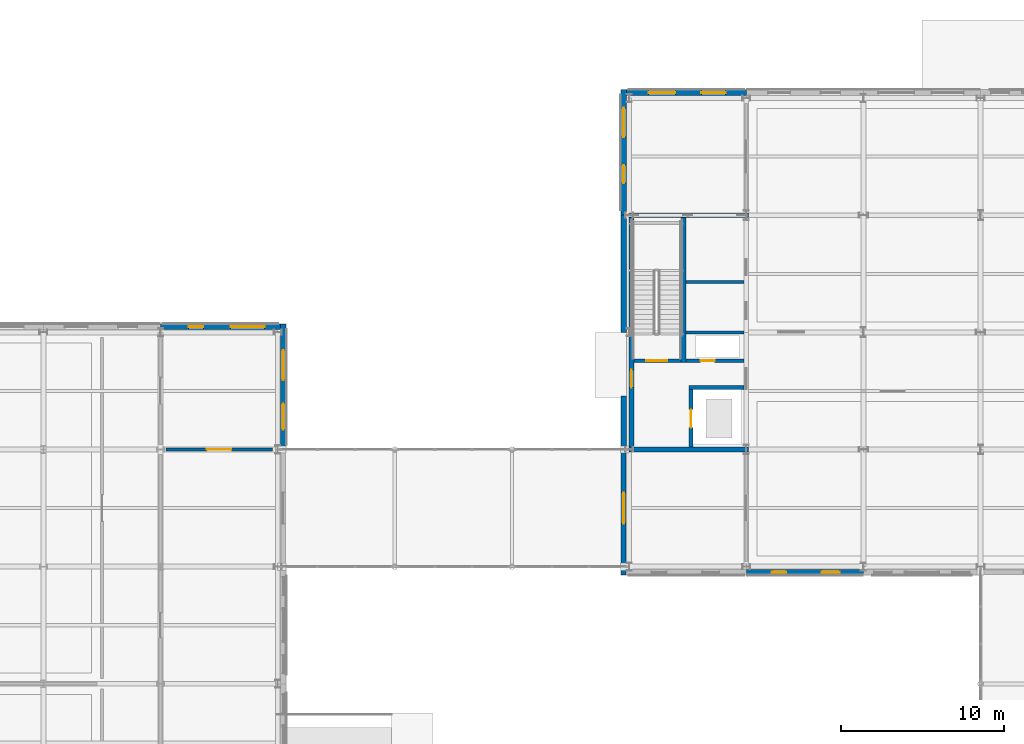
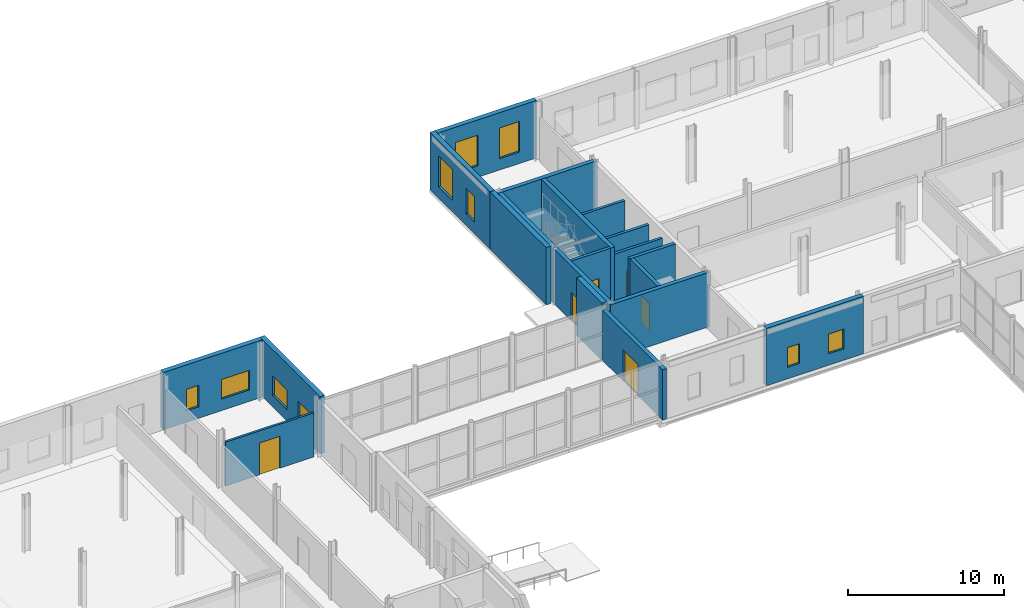
# One storey, part 62 of 92: 20 walls, 10 windows, 6 doors, 16 openings.
"""IFC4 building model written with IfcOpenShell, lengths in metres."""

from ifc_helpers import new_model, si_unit, direction, frame, frame_2d, origin, place, context, subcontext, project, spatial, rectangle, extrude, material, layer, layer_set, type_object, element, fill, save


model = new_model("IFC4")

# Units and contexts
model_context = context("Model", 3, precision=1e-05, world=origin(), true_north=direction((0.0, 1.0)))
body_context = subcontext(model_context, "Body", "Model", "MODEL_VIEW")
ifc_project = project(units=[si_unit("LENGTHUNIT", "METRE"), si_unit("AREAUNIT", "SQUARE_METRE"), si_unit("VOLUMEUNIT", "CUBIC_METRE"), si_unit("PLANEANGLEUNIT", "RADIAN"), si_unit("MASSUNIT", "GRAM", prefix="KILO")], contexts=[model_context])

# Site, building, storey
site_placement = place(None, origin())
site = spatial("IfcSite", under=ifc_project, at=site_placement, CompositionType="ELEMENT")
building_placement = place(site_placement, origin())
building = spatial("IfcBuilding", under=site, at=building_placement, Name="Zlatovets Crest Museum", CompositionType="ELEMENT")
storey_placement = place(building_placement, origin())
storey = spatial("IfcBuildingStorey", under=building, at=storey_placement, Name="L00", CompositionType="ELEMENT", Elevation=0.0)

# Walls
ifc_material_1 = material(Name="Concrete C35/45", Category="concrete")
ifc_layer_1 = layer(ifc_material_1, 0.300048828125)
ifc_layer_set_1 = layer_set([ifc_layer_1], Name="Concrete C35/45")
wall_type_1 = type_object("IfcWallType", Name="CoreWall_SW01", PredefinedType="SHEAR", material=ifc_layer_set_1)
for number, where, z_axis, x_axis, name in (
    (1, (57.60009765625, 93.60009765625, 0.0), (0.0, 0.0, 1.0), (1.0, 0.0, 0.0), "Core C1 L00 South Shear Wall"),
    (2, (57.60009765625, 108.0, 0.0), (0.0, 0.0, 1.0), (1.0, 0.0, 0.0), "Core C1 L00 North Shear Wall"),
):
    element("IfcWall", number, at=place(storey_placement, frame(where, z_axis=z_axis, x_axis=x_axis)), inside=storey, type_object=wall_type_1, Name=name, PredefinedType="SHEAR", context=body_context, shape_type="SweptSolid", body=[
        extrude(rectangle(XDim=7.349853515625, YDim=0.300048828125, at=frame_2d((3.6748046875, 0.0))), origin(), (0.0, 0.0, 1.0), 4.280029296875),
    ])

# Wall, opening, door
wall_1_placement = place(storey_placement, frame((57.75, 93.75, 0.0), z_axis=(0.0, 0.0, 1.0), x_axis=(0.0, 1.0, 0.0)))
wall_1 = element("IfcWall", 3, at=wall_1_placement, inside=storey, type_object=wall_type_1, Name="Core C1 L00 Protected Lobby Exterior Shear Wall", PredefinedType="SHEAR", context=body_context, shape_type="SweptSolid", body=[
    extrude(rectangle(XDim=7.050048828125, YDim=0.300048828125, at=frame_2d((3.52490234375, 0.0))), origin(), (0.0, 0.0, 1.0), 4.280029296875),
])
opening_1_placement = place(wall_1_placement, frame((3.64990234375, 0.0, 0.0)))
opening_1 = element("IfcOpeningElement", 4, at=opening_1_placement, cuts=wall_1, Name="Opening ED-03", PredefinedType="OPENING", context=body_context, shape_type="SweptSolid", body=[
    extrude(rectangle(XDim=1.10009765625, YDim=2.199951171875, at=frame_2d((0.550048828125, 1.10009765625))), frame((0.0, 0.16015625, 0.0), z_axis=(0.0, -1.0, 0.0), x_axis=(1.0, 0.0, 0.0)), (0.0, 0.0, 1.0), 0.320068359375),
])
ifc_material_2 = material(Name="Bronze-clad insulated steel door", Category="steel")
door_type_1 = type_object("IfcDoorType", Name="ExtDoor_ED-03", OperationType="NOTDEFINED", PredefinedType="DOOR", material=ifc_material_2)
door_1_placement = place(opening_1_placement, origin())
door_1 = element("IfcDoor", 5, at=door_1_placement, inside=storey, type_object=door_type_1, Name="ED-ST1-EXIT Stair ST1 Direct Final Exterior Exit Door", OperationType="SINGLE_SWING_LEFT", OverallHeight=2.199951171875, OverallWidth=1.10009765625, PredefinedType="DOOR", context=body_context, shape_type="SweptSolid", body=[
    extrude(rectangle(XDim=1.10009765625, YDim=2.199951171875, at=frame_2d((0.550048828125, 1.10009765625))), frame((0.0, 0.02490234375, 0.0), z_axis=(0.0, -1.0, 0.0), x_axis=(1.0, 0.0, 0.0)), (0.0, 0.0, 1.0), 0.050048828125),
])
fill(opening_1, door_1)

# Walls
wall_2_placement = place(storey_placement, frame((57.75, 100.800048828125, 0.0), z_axis=(0.0, 0.0, 1.0), x_axis=(0.0, 1.0, 0.0)))
element("IfcWall", 6, at=wall_2_placement, inside=storey, type_object=wall_type_1, Name="Core C1 L00 Stairwell Perimeter Shear Wall", PredefinedType="SHEAR", context=body_context, shape_type="SweptSolid", body=[
    extrude(rectangle(XDim=7.050048828125, YDim=0.300048828125, at=frame_2d((3.52490234375, 0.0))), origin(), (0.0, 0.0, 1.0), 4.280029296875),
])
wall_3_placement = place(storey_placement, frame((60.949951171875, 98.93994140625, 0.0), z_axis=(0.0, 0.0, 1.0), x_axis=(0.0, 1.0, 0.0)))
element("IfcWall", 7, at=wall_3_placement, inside=storey, type_object=wall_type_1, Name="Core C1 L00 Stair Divider Wall", PredefinedType="SHEAR", context=body_context, shape_type="SweptSolid", body=[
    extrude(rectangle(XDim=8.91015625, YDim=0.300048828125, at=frame_2d((4.455078125, 0.0))), origin(), (0.0, 0.0, 1.0), 4.280029296875),
])

# Wall, opening, door
ifc_layer_2 = layer(ifc_material_1, 0.25)
ifc_layer_set_2 = layer_set([ifc_layer_2], Name="Concrete C35/45")
wall_type_2 = type_object("IfcWallType", Name="CoreWall_SW02", PredefinedType="SHEAR", material=ifc_layer_set_2)
wall_4_placement = place(storey_placement, frame((61.39990234375, 93.75, 0.0), z_axis=(0.0, 0.0, 1.0), x_axis=(0.0, 1.0, 0.0)))
wall_4 = element("IfcWall", 8, at=wall_4_placement, inside=storey, type_object=wall_type_2, Name="Core C1 L00 Lift Shaft Wall", PredefinedType="SHEAR", context=body_context, shape_type="SweptSolid", body=[
    extrude(rectangle(XDim=3.52490234375, YDim=0.25, at=frame_2d((1.762451171875, 0.0))), origin(), (0.0, 0.0, 1.0), 4.280029296875),
])
opening_2_placement = place(wall_4_placement, frame((1.199951171875, 0.0, 0.0)))
opening_2 = element("IfcOpeningElement", 9, at=opening_2_placement, cuts=wall_4, Name="Opening LD-01", PredefinedType="OPENING", context=body_context, shape_type="SweptSolid", body=[
    extrude(rectangle(XDim=1.10009765625, YDim=2.14990234375, at=frame_2d((0.550048828125, 1.074951171875))), frame((0.0, 0.135009765625, 0.0), z_axis=(0.0, -1.0, 0.0), x_axis=(1.0, 0.0, 0.0)), (0.0, 0.0, 1.0), 0.27001953125),
])
ifc_material_3 = material(Name="Stainless-bronze sliding lift landing door")
door_type_2 = type_object("IfcDoorType", Name="IntDoor_LD-01", OperationType="SLIDING_TO_LEFT", PredefinedType="DOOR", material=ifc_material_3)
door_2_placement = place(opening_2_placement, origin())
door_2 = element("IfcDoor", 10, at=door_2_placement, inside=storey, type_object=door_type_2, Name="LDOOR-FL1-L00 Lift FL1 L00 Sliding Landing Door", OperationType="SLIDING_TO_LEFT", OverallHeight=2.14990234375, OverallWidth=1.10009765625, PredefinedType="DOOR", context=body_context, shape_type="SweptSolid", body=[
    extrude(rectangle(XDim=1.10009765625, YDim=2.14990234375, at=frame_2d((0.550048828125, 1.074951171875))), frame((0.0, 0.02490234375, 0.0), z_axis=(0.0, -1.0, 0.0), x_axis=(1.0, 0.0, 0.0)), (0.0, 0.0, 1.0), 0.050048828125),
])
fill(opening_2, door_2)

wall_5_placement = place(storey_placement, frame((57.89990234375, 99.050048828125, 0.0), z_axis=(0.0, 0.0, 1.0), x_axis=(1.0, 0.0, 0.0)))
wall_5 = element("IfcWall", 11, at=wall_5_placement, inside=storey, type_object=wall_type_2, Name="Core C1 L00 Stairwell Fire Wall", PredefinedType="SHEAR", context=body_context, shape_type="SweptSolid", body=[
    extrude(rectangle(XDim=2.900146484375, YDim=0.219970703125, at=frame_2d((1.4501953125, 0.0))), origin(), (0.0, 0.0, 1.0), 4.280029296875),
])
opening_3_placement = place(wall_5_placement, frame((0.75, 0.0, 0.0)))
opening_3 = element("IfcOpeningElement", 12, at=opening_3_placement, cuts=wall_5, Name="Opening FD-01", PredefinedType="OPENING", context=body_context, shape_type="SweptSolid", body=[
    extrude(rectangle(XDim=1.300048828125, YDim=2.199951171875, at=frame_2d((0.64990234375, 1.10009765625))), frame((0.0, 0.1201171875, 0.0), z_axis=(0.0, -1.0, 0.0), x_axis=(1.0, 0.0, 0.0)), (0.0, 0.0, 1.0), 0.239990234375),
])
ifc_material_4 = material(Name="Smoke-sealed steel fire door", Category="steel")
door_type_3 = type_object("IfcDoorType", Name="IntDoor_FD-01", OperationType="NOTDEFINED", PredefinedType="DOOR", material=ifc_material_4)
door_3_placement = place(opening_3_placement, origin())
door_3 = element("IfcDoor", 13, at=door_3_placement, inside=storey, type_object=door_type_3, Name="SDOOR-ST1-L00 Stair ST1 L00 Fire Door", OperationType="SINGLE_SWING_LEFT", OverallHeight=2.199951171875, OverallWidth=1.300048828125, PredefinedType="DOOR", context=body_context, shape_type="SweptSolid", body=[
    extrude(rectangle(XDim=1.300048828125, YDim=2.199951171875, at=frame_2d((0.64990234375, 1.10009765625))), frame((0.0, 0.02490234375, 0.0), z_axis=(0.0, -1.0, 0.0), x_axis=(1.0, 0.0, 0.0)), (0.0, 0.0, 1.0), 0.050048828125),
])
fill(opening_3, door_3)

# Wall
wall_6_placement = place(storey_placement, frame((61.27490234375, 97.39990234375, 0.0), z_axis=(0.0, 0.0, 1.0), x_axis=(1.0, 0.0, 0.0)))
element("IfcWall", 14, at=wall_6_placement, inside=storey, type_object=wall_type_2, Name="Core C1 L00 Lift Shaft North Shear Wall", PredefinedType="SHEAR", context=body_context, shape_type="SweptSolid", body=[
    extrude(rectangle(XDim=3.375, YDim=0.25, at=frame_2d((1.6875, 0.0))), origin(), (0.0, 0.0, 1.0), 4.280029296875),
])

# Wall, openings, windows
ifc_material_5 = material(Name="Vratsa limestone ashlar masonry and mineral wool", Category="masonry")
ifc_layer_3 = layer(ifc_material_5, 0.35009765625)
ifc_layer_set_3 = layer_set([ifc_layer_3], Name="Vratsa limestone ashlar masonry and mineral wool")
wall_type_3 = type_object("IfcWallType", Name="ExtWall_EW-01", PredefinedType="STANDARD", material=ifc_layer_set_3)
wall_7_placement = place(storey_placement, frame((64.800048828125, 86.06005859375, 0.0), z_axis=(0.0, 0.0, 1.0), x_axis=(1.0, 0.0, 0.0)))
wall_7 = element("IfcWall", 15, at=wall_7_placement, inside=storey, type_object=wall_type_3, Name="V1 L00 Vratsa Limestone Plinth Wall", PredefinedType="STANDARD", context=body_context, shape_type="SweptSolid", body=[
    extrude(rectangle(XDim=7.199951171875, YDim=0.35009765625, at=frame_2d((3.60009765625, 0.0))), origin(), (0.0, 0.0, 1.0), 4.5),
])
opening_4_placement = place(wall_7_placement, frame((1.575927734375, 0.0, 0.89990234375)))
opening_4 = element("IfcOpeningElement", 16, at=opening_4_placement, cuts=wall_7, Name="Opening WN-16", PredefinedType="OPENING", context=body_context, shape_type="SweptSolid", body=[
    extrude(rectangle(XDim=0.8798828125, YDim=1.5400390625, at=frame_2d((0.43994140625, 0.77001953125))), frame((0.0, 0.18505859375, 0.0), z_axis=(0.0, -1.0, 0.0), x_axis=(1.0, 0.0, 0.0)), (0.0, 0.0, 1.0), 0.3701171875),
])
opening_5_placement = place(wall_7_placement, frame((4.6240234375, 0.0, 0.89990234375)))
opening_5 = element("IfcOpeningElement", 17, at=opening_5_placement, cuts=wall_7, Name="Opening WN-17", PredefinedType="OPENING", context=body_context, shape_type="SweptSolid", body=[
    extrude(rectangle(XDim=1.1201171875, YDim=1.5400390625, at=frame_2d((0.56005859375, 0.77001953125))), frame((0.0, 0.18505859375, 0.0), z_axis=(0.0, -1.0, 0.0), x_axis=(1.0, 0.0, 0.0)), (0.0, 0.0, 1.0), 0.3701171875),
])
ifc_material_6 = material(Name="Bronze-anodised aluminium frame with low-E triple glass", Category="aluminium")
window_type_1 = type_object("IfcWindowType", Name="Win_WN-16", PartitioningType="SINGLE_PANEL", PredefinedType="WINDOW", material=ifc_material_6)
window_1_placement = place(opening_4_placement, origin())
window_1 = element("IfcWindow", 18, at=window_1_placement, inside=storey, type_object=window_type_1, Name="V1 L00 Secession Plinth Window WN-16", OverallHeight=1.5400390625, OverallWidth=0.8798828125, PartitioningType="SINGLE_PANEL", PredefinedType="WINDOW", context=body_context, shape_type="SweptSolid", body=[
    extrude(rectangle(XDim=0.8798828125, YDim=1.5400390625, at=frame_2d((0.43994140625, 0.77001953125))), frame((0.0, 0.030029296875, 0.0), z_axis=(0.0, -1.0, 0.0), x_axis=(1.0, 0.0, 0.0)), (0.0, 0.0, 1.0), 0.06005859375),
])
fill(opening_4, window_1)
window_type_2 = type_object("IfcWindowType", Name="Win_WN-17", PartitioningType="SINGLE_PANEL", PredefinedType="WINDOW", material=ifc_material_6)
window_2_placement = place(opening_5_placement, origin())
window_2 = element("IfcWindow", 19, at=window_2_placement, inside=storey, type_object=window_type_2, Name="V1 L00 Secession Plinth Window WN-17", OverallHeight=1.5400390625, OverallWidth=1.1201171875, PartitioningType="SINGLE_PANEL", PredefinedType="WINDOW", context=body_context, shape_type="SweptSolid", body=[
    extrude(rectangle(XDim=1.1201171875, YDim=1.5400390625, at=frame_2d((0.56005859375, 0.77001953125))), frame((0.0, 0.030029296875, 0.0), z_axis=(0.0, -1.0, 0.0), x_axis=(1.0, 0.0, 0.0)), (0.0, 0.0, 1.0), 0.06005859375),
])
fill(opening_5, window_2)

wall_8_placement = place(storey_placement, frame((64.800048828125, 115.5400390625, 0.0), z_axis=(0.0, 0.0, 1.0), x_axis=(-1.0, 0.0, 0.0)))
wall_8 = element("IfcWall", 20, at=wall_8_placement, inside=storey, type_object=wall_type_3, Name="V1 L00 Vratsa Limestone Plinth Wall", PredefinedType="STANDARD", context=body_context, shape_type="SweptSolid", body=[
    extrude(rectangle(XDim=7.364990234375, YDim=0.35009765625, at=frame_2d((3.6826171875, 0.0))), origin(), (0.0, 0.0, 1.0), 4.5),
])
opening_6_placement = place(wall_8_placement, frame((1.26611328125, 0.0, 0.89990234375)))
opening_6 = element("IfcOpeningElement", 21, at=opening_6_placement, cuts=wall_8, Name="Opening WN-03", PredefinedType="OPENING", context=body_context, shape_type="SweptSolid", body=[
    extrude(rectangle(XDim=1.5, YDim=2.39990234375, at=frame_2d((0.75, 1.199951171875))), frame((0.0, 0.18505859375, 0.0), z_axis=(0.0, -1.0, 0.0), x_axis=(1.0, 0.0, 0.0)), (0.0, 0.0, 1.0), 0.3701171875),
])
opening_7_placement = place(wall_8_placement, frame((4.35888671875, 0.0, 0.89990234375)))
opening_7 = element("IfcOpeningElement", 22, at=opening_7_placement, cuts=wall_8, Name="Opening WN-04", PredefinedType="OPENING", context=body_context, shape_type="SweptSolid", body=[
    extrude(rectangle(XDim=1.64990234375, YDim=2.39990234375, at=frame_2d((0.824951171875, 1.199951171875))), frame((0.0, 0.18505859375, 0.0), z_axis=(0.0, -1.0, 0.0), x_axis=(1.0, 0.0, 0.0)), (0.0, 0.0, 1.0), 0.3701171875),
])
window_type_3 = type_object("IfcWindowType", Name="Win_WN-03", PartitioningType="SINGLE_PANEL", PredefinedType="WINDOW", material=ifc_material_6)
window_3_placement = place(opening_6_placement, origin())
window_3 = element("IfcWindow", 23, at=window_3_placement, inside=storey, type_object=window_type_3, Name="V1 L00 Secession Plinth Window WN-03", OverallHeight=2.39990234375, OverallWidth=1.5, PartitioningType="SINGLE_PANEL", PredefinedType="WINDOW", context=body_context, shape_type="SweptSolid", body=[
    extrude(rectangle(XDim=1.5, YDim=2.39990234375, at=frame_2d((0.75, 1.199951171875))), frame((0.0, 0.030029296875, 0.0), z_axis=(0.0, -1.0, 0.0), x_axis=(1.0, 0.0, 0.0)), (0.0, 0.0, 1.0), 0.06005859375),
])
fill(opening_6, window_3)
window_type_4 = type_object("IfcWindowType", Name="Win_WN-04", PartitioningType="SINGLE_PANEL", PredefinedType="WINDOW", material=ifc_material_6)
window_4_placement = place(opening_7_placement, origin())
window_4 = element("IfcWindow", 24, at=window_4_placement, inside=storey, type_object=window_type_4, Name="V1 L00 Secession Plinth Window WN-04", OverallHeight=2.39990234375, OverallWidth=1.64990234375, PartitioningType="SINGLE_PANEL", PredefinedType="WINDOW", context=body_context, shape_type="SweptSolid", body=[
    extrude(rectangle(XDim=1.64990234375, YDim=2.39990234375, at=frame_2d((0.824951171875, 1.199951171875))), frame((0.0, 0.030029296875, 0.0), z_axis=(0.0, -1.0, 0.0), x_axis=(1.0, 0.0, 0.0)), (0.0, 0.0, 1.0), 0.06005859375),
])
fill(opening_7, window_4)

wall_9_placement = place(storey_placement, frame((57.260009765625, 115.715087890625, 0.0), z_axis=(0.0, 0.0, 1.0), x_axis=(0.0, -1.0, 0.0)))
wall_9 = element("IfcWall", 25, at=wall_9_placement, inside=storey, type_object=wall_type_3, Name="V1 L00 Vratsa Limestone Plinth Wall", PredefinedType="STANDARD", context=body_context, shape_type="SweptSolid", body=[
    extrude(rectangle(XDim=7.715087890625, YDim=0.35009765625, at=frame_2d((3.857421875, 0.0))), origin(), (0.0, 0.0, 1.0), 4.5),
])
opening_8_placement = place(wall_9_placement, frame((1.115966796875, 0.0, 0.89990234375)))
opening_8 = element("IfcOpeningElement", 26, at=opening_8_placement, cuts=wall_9, Name="Opening WN-05", PredefinedType="OPENING", context=body_context, shape_type="SweptSolid", body=[
    extrude(rectangle(XDim=1.800048828125, YDim=2.39990234375, at=frame_2d((0.89990234375, 1.199951171875))), frame((0.0, 0.18505859375, 0.0), z_axis=(0.0, -1.0, 0.0), x_axis=(1.0, 0.0, 0.0)), (0.0, 0.0, 1.0), 0.3701171875),
])
opening_9_placement = place(wall_9_placement, frame((4.634033203125, 0.0, 0.89990234375)))
opening_9 = element("IfcOpeningElement", 27, at=opening_9_placement, cuts=wall_9, Name="Opening WN-06", PredefinedType="OPENING", context=body_context, shape_type="SweptSolid", body=[
    extrude(rectangle(XDim=1.10009765625, YDim=2.0, at=frame_2d((0.550048828125, 1.0))), frame((0.0, 0.18505859375, 0.0), z_axis=(0.0, -1.0, 0.0), x_axis=(1.0, 0.0, 0.0)), (0.0, 0.0, 1.0), 0.3701171875),
])
window_type_5 = type_object("IfcWindowType", Name="Win_WN-05", PartitioningType="SINGLE_PANEL", PredefinedType="WINDOW", material=ifc_material_6)
window_5_placement = place(opening_8_placement, origin())
window_5 = element("IfcWindow", 28, at=window_5_placement, inside=storey, type_object=window_type_5, Name="V1 L00 Secession Plinth Window WN-05", OverallHeight=2.39990234375, OverallWidth=1.800048828125, PartitioningType="SINGLE_PANEL", PredefinedType="WINDOW", context=body_context, shape_type="SweptSolid", body=[
    extrude(rectangle(XDim=1.800048828125, YDim=2.39990234375, at=frame_2d((0.89990234375, 1.199951171875))), frame((0.0, 0.030029296875, 0.0), z_axis=(0.0, -1.0, 0.0), x_axis=(1.0, 0.0, 0.0)), (0.0, 0.0, 1.0), 0.06005859375),
])
fill(opening_8, window_5)
window_type_6 = type_object("IfcWindowType", Name="Win_WN-06", PartitioningType="SINGLE_PANEL", PredefinedType="WINDOW", material=ifc_material_6)
window_6_placement = place(opening_9_placement, origin())
window_6 = element("IfcWindow", 29, at=window_6_placement, inside=storey, type_object=window_type_6, Name="V1 L00 Secession Plinth Window WN-06", OverallHeight=2.0, OverallWidth=1.10009765625, PartitioningType="SINGLE_PANEL", PredefinedType="WINDOW", context=body_context, shape_type="SweptSolid", body=[
    extrude(rectangle(XDim=1.10009765625, YDim=2.0, at=frame_2d((0.550048828125, 1.0))), frame((0.0, 0.030029296875, 0.0), z_axis=(0.0, -1.0, 0.0), x_axis=(1.0, 0.0, 0.0)), (0.0, 0.0, 1.0), 0.06005859375),
])
fill(opening_9, window_6)

# Walls
wall_10_placement = place(storey_placement, frame((57.260009765625, 108.0, 0.0), z_axis=(0.0, 0.0, 1.0), x_axis=(0.0, -1.0, 0.0)))
element("IfcWall", 30, at=wall_10_placement, inside=storey, type_object=wall_type_3, Name="V1 L00 Vratsa Limestone Core Plinth", PredefinedType="STANDARD", context=body_context, shape_type="SweptSolid", body=[
    extrude(rectangle(XDim=7.199951171875, YDim=0.35009765625, at=frame_2d((3.60009765625, 0.0))), origin(), (0.0, 0.0, 1.0), 4.5),
])
wall_11_placement = place(storey_placement, frame((57.260009765625, 96.89990234375, 0.0), z_axis=(0.0, 0.0, 1.0), x_axis=(0.0, -1.0, 0.0)))
element("IfcWall", 31, at=wall_11_placement, inside=storey, type_object=wall_type_3, Name="V1 L00 Vratsa Limestone Core Plinth", PredefinedType="STANDARD", context=body_context, shape_type="SweptSolid", body=[
    extrude(rectangle(XDim=3.2998046875, YDim=0.35009765625, at=frame_2d((1.64990234375, 0.0))), origin(), (0.0, 0.0, 1.0), 4.5),
])

# Wall, openings, windows
wall_12_placement = place(storey_placement, frame((36.340087890625, 93.60009765625, 0.0), z_axis=(0.0, 0.0, 1.0), x_axis=(0.0, 1.0, 0.0)))
wall_12 = element("IfcWall", 32, at=wall_12_placement, inside=storey, type_object=wall_type_3, Name="V4 L00 Vratsa Limestone Plinth Wall", PredefinedType="STANDARD", context=body_context, shape_type="SweptSolid", body=[
    extrude(rectangle(XDim=7.71484375, YDim=0.35009765625, at=frame_2d((3.857421875, 0.0))), origin(), (0.0, 0.0, 1.0), 4.5),
])
opening_10_placement = place(wall_12_placement, frame((1.216064453125, 0.0, 0.89990234375)))
opening_10 = element("IfcOpeningElement", 33, at=opening_10_placement, cuts=wall_12, Name="Opening WN-19", PredefinedType="OPENING", context=body_context, shape_type="SweptSolid", body=[
    extrude(rectangle(XDim=1.60009765625, YDim=1.5400390625, at=frame_2d((0.800048828125, 0.77001953125))), frame((0.0, 0.18505859375, 0.0), z_axis=(0.0, -1.0, 0.0), x_axis=(1.0, 0.0, 0.0)), (0.0, 0.0, 1.0), 0.3701171875),
])
opening_11_placement = place(wall_12_placement, frame((4.263916015625, 0.0, 0.89990234375)))
opening_11 = element("IfcOpeningElement", 34, at=opening_11_placement, cuts=wall_12, Name="Opening WN-20", PredefinedType="OPENING", context=body_context, shape_type="SweptSolid", body=[
    extrude(rectangle(XDim=1.840087890625, YDim=1.5400390625, at=frame_2d((0.919921875, 0.77001953125))), frame((0.0, 0.18505859375, 0.0), z_axis=(0.0, -1.0, 0.0), x_axis=(1.0, 0.0, 0.0)), (0.0, 0.0, 1.0), 0.3701171875),
])
window_type_7 = type_object("IfcWindowType", Name="Win_WN-19", PartitioningType="SINGLE_PANEL", PredefinedType="WINDOW", material=ifc_material_6)
window_7_placement = place(opening_10_placement, origin())
window_7 = element("IfcWindow", 35, at=window_7_placement, inside=storey, type_object=window_type_7, Name="V4 L00 Secession Plinth Window WN-19", OverallHeight=1.5400390625, OverallWidth=1.60009765625, PartitioningType="SINGLE_PANEL", PredefinedType="WINDOW", context=body_context, shape_type="SweptSolid", body=[
    extrude(rectangle(XDim=1.60009765625, YDim=1.5400390625, at=frame_2d((0.800048828125, 0.77001953125))), frame((0.0, 0.030029296875, 0.0), z_axis=(0.0, -1.0, 0.0), x_axis=(1.0, 0.0, 0.0)), (0.0, 0.0, 1.0), 0.06005859375),
])
fill(opening_10, window_7)
window_type_8 = type_object("IfcWindowType", Name="Win_WN-20", PartitioningType="SINGLE_PANEL", PredefinedType="WINDOW", material=ifc_material_6)
window_8_placement = place(opening_11_placement, origin())
window_8 = element("IfcWindow", 36, at=window_8_placement, inside=storey, type_object=window_type_8, Name="V4 L00 Secession Plinth Window WN-20", OverallHeight=1.5400390625, OverallWidth=1.840087890625, PartitioningType="SINGLE_PANEL", PredefinedType="WINDOW", context=body_context, shape_type="SweptSolid", body=[
    extrude(rectangle(XDim=1.840087890625, YDim=1.5400390625, at=frame_2d((0.919921875, 0.77001953125))), frame((0.0, 0.030029296875, 0.0), z_axis=(0.0, -1.0, 0.0), x_axis=(1.0, 0.0, 0.0)), (0.0, 0.0, 1.0), 0.06005859375),
])
fill(opening_11, window_8)

wall_13_placement = place(storey_placement, frame((36.1650390625, 101.139892578125, 0.0), z_axis=(0.0, 0.0, 1.0), x_axis=(-1.0, 0.0, 0.0)))
wall_13 = element("IfcWall", 37, at=wall_13_placement, inside=storey, type_object=wall_type_3, Name="V4 L00 Vratsa Limestone Plinth Wall", PredefinedType="STANDARD", context=body_context, shape_type="SweptSolid", body=[
    extrude(rectangle(XDim=7.364990234375, YDim=0.35009765625, at=frame_2d((3.6826171875, 0.0))), origin(), (0.0, 0.0, 1.0), 4.5),
])
opening_12_placement = place(wall_13_placement, frame((0.97607421875, 0.0, 0.89990234375)))
opening_12 = element("IfcOpeningElement", 38, at=opening_12_placement, cuts=wall_13, Name="Opening WN-21", PredefinedType="OPENING", context=body_context, shape_type="SweptSolid", body=[
    extrude(rectangle(XDim=2.080078125, YDim=1.5400390625, at=frame_2d((1.0400390625, 0.77001953125))), frame((0.0, 0.18505859375, 0.0), z_axis=(0.0, -1.0, 0.0), x_axis=(1.0, 0.0, 0.0)), (0.0, 0.0, 1.0), 0.3701171875),
])
opening_13_placement = place(wall_13_placement, frame((4.72900390625, 0.0, 0.89990234375)))
opening_13 = element("IfcOpeningElement", 39, at=opening_13_placement, cuts=wall_13, Name="Opening WN-22", PredefinedType="OPENING", context=body_context, shape_type="SweptSolid", body=[
    extrude(rectangle(XDim=0.909912109375, YDim=1.679931640625, at=frame_2d((0.455078125, 0.83984375))), frame((0.0, 0.18505859375, 0.0), z_axis=(0.0, -1.0, 0.0), x_axis=(1.0, 0.0, 0.0)), (0.0, 0.0, 1.0), 0.3701171875),
])
window_type_9 = type_object("IfcWindowType", Name="Win_WN-21", PartitioningType="SINGLE_PANEL", PredefinedType="WINDOW", material=ifc_material_6)
window_9_placement = place(opening_12_placement, origin())
window_9 = element("IfcWindow", 40, at=window_9_placement, inside=storey, type_object=window_type_9, Name="V4 L00 Secession Plinth Window WN-21", OverallHeight=1.5400390625, OverallWidth=2.080078125, PartitioningType="SINGLE_PANEL", PredefinedType="WINDOW", context=body_context, shape_type="SweptSolid", body=[
    extrude(rectangle(XDim=2.080078125, YDim=1.5400390625, at=frame_2d((1.0400390625, 0.77001953125))), frame((0.0, 0.030029296875, 0.0), z_axis=(0.0, -1.0, 0.0), x_axis=(1.0, 0.0, 0.0)), (0.0, 0.0, 1.0), 0.06005859375),
])
fill(opening_12, window_9)
window_type_10 = type_object("IfcWindowType", Name="Win_WN-22", PartitioningType="SINGLE_PANEL", PredefinedType="WINDOW", material=ifc_material_6)
window_10_placement = place(opening_13_placement, origin())
window_10 = element("IfcWindow", 41, at=window_10_placement, inside=storey, type_object=window_type_10, Name="V4 L00 Secession Plinth Window WN-22", OverallHeight=1.679931640625, OverallWidth=0.909912109375, PartitioningType="SINGLE_PANEL", PredefinedType="WINDOW", context=body_context, shape_type="SweptSolid", body=[
    extrude(rectangle(XDim=0.909912109375, YDim=1.679931640625, at=frame_2d((0.455078125, 0.83984375))), frame((0.0, 0.030029296875, 0.0), z_axis=(0.0, -1.0, 0.0), x_axis=(1.0, 0.0, 0.0)), (0.0, 0.0, 1.0), 0.06005859375),
])
fill(opening_13, window_10)

# Wall, opening, door
ifc_material_7 = material(Name="Insulated gallery conservation liner wall", Category="concrete")
ifc_layer_4 = layer(ifc_material_7, 0.300048828125)
ifc_layer_set_4 = layer_set([ifc_layer_4], Name="Insulated gallery conservation liner wall")
wall_type_4 = type_object("IfcWallType", Name="ExtWall_EW-02", PredefinedType="STANDARD", material=ifc_layer_set_4)
wall_14_placement = place(storey_placement, frame((57.260009765625, 93.60009765625, 0.0), z_axis=(0.0, 0.0, 1.0), x_axis=(0.0, -1.0, 0.0)))
wall_14 = element("IfcWall", 42, at=wall_14_placement, inside=storey, type_object=wall_type_4, Name="V1 L00 Bridge Portal Wall", PredefinedType="STANDARD", context=body_context, shape_type="SweptSolid", body=[
    extrude(rectangle(XDim=7.715087890625, YDim=0.300048828125, at=frame_2d((3.857421875, 0.0))), origin(), (0.0, 0.0, 1.0), 3.949951171875),
])
opening_14_placement = place(wall_14_placement, frame((2.64990234375, 0.0, 0.0)))
opening_14 = element("IfcOpeningElement", 43, at=opening_14_placement, cuts=wall_14, Name="Opening ED-02", PredefinedType="OPENING", context=body_context, shape_type="SweptSolid", body=[
    extrude(rectangle(XDim=1.89990234375, YDim=2.449951171875, at=frame_2d((0.949951171875, 1.22509765625))), frame((0.0, 0.16015625, 0.0), z_axis=(0.0, -1.0, 0.0), x_axis=(1.0, 0.0, 0.0)), (0.0, 0.0, 1.0), 0.320068359375),
])
door_type_4 = type_object("IfcDoorType", Name="ExtDoor_ED-02", OperationType="NOTDEFINED", PredefinedType="DOOR", material=ifc_material_2)
door_4_placement = place(opening_14_placement, origin())
door_4 = element("IfcDoor", 44, at=door_4_placement, inside=storey, type_object=door_type_4, Name="ED-V1-L00-BR005 V1 L00 Bridge Link Portal Door", OperationType="DOUBLE_DOOR_SINGLE_SWING", OverallHeight=2.449951171875, OverallWidth=1.89990234375, PredefinedType="DOOR", context=body_context, shape_type="SweptSolid", body=[
    extrude(rectangle(XDim=1.89990234375, YDim=2.449951171875, at=frame_2d((0.949951171875, 1.22509765625))), frame((0.0, 0.02490234375, 0.0), z_axis=(0.0, -1.0, 0.0), x_axis=(1.0, 0.0, 0.0)), (0.0, 0.0, 1.0), 0.050048828125),
])
fill(opening_14, door_4)

ifc_material_8 = material(Name="Acoustic museum gallery stud partition")
ifc_layer_5 = layer(ifc_material_8, 0.159912109375)
ifc_layer_set_5 = layer_set([ifc_layer_5], Name="Acoustic museum gallery stud partition")
wall_type_5 = type_object("IfcWallType", Name="PartWall_PT-02", PredefinedType="PARTITIONING", material=ifc_layer_set_5)
wall_15_placement = place(storey_placement, frame((29.1201171875, 93.60009765625, 0.0), z_axis=(0.0, 0.0, 1.0), x_axis=(1.0, 0.0, 0.0)))
wall_15 = element("IfcWall", 45, at=wall_15_placement, inside=storey, type_object=wall_type_5, Name="V4 L00 Interior Partition PT-02", PredefinedType="PARTITIONING", context=body_context, shape_type="SweptSolid", body=[
    extrude(rectangle(XDim=6.559814453125, YDim=0.159912109375, at=frame_2d((3.27978515625, 0.0))), origin(), (0.0, 0.0, 1.0), 3.449951171875),
])
opening_15_placement = place(wall_15_placement, frame((2.530029296875, 0.0, 0.0)))
opening_15 = element("IfcOpeningElement", 46, at=opening_15_placement, cuts=wall_15, Name="Opening ID-23", PredefinedType="OPENING", context=body_context, shape_type="SweptSolid", body=[
    extrude(rectangle(XDim=1.5, YDim=2.5, at=frame_2d((0.75, 1.25))), frame((0.0, 0.08984375, 0.0), z_axis=(0.0, -1.0, 0.0), x_axis=(1.0, 0.0, 0.0)), (0.0, 0.0, 1.0), 0.179931640625),
])
ifc_material_9 = material(Name="Foyer vestibule double door")
door_type_5 = type_object("IfcDoorType", Name="IntDoor_ID-23", OperationType="DOUBLE_DOOR_SINGLE_SWING", PredefinedType="DOOR", material=ifc_material_9)
door_5_placement = place(opening_15_placement, origin())
door_5 = element("IfcDoor", 47, at=door_5_placement, inside=storey, type_object=door_type_5, Name="IDOOR-V4-L00-0079 West Court Entrance Foyer to Docent Study Room Door", OperationType="DOUBLE_DOOR_SINGLE_SWING", OverallHeight=2.5, OverallWidth=1.5, PredefinedType="DOOR", context=body_context, shape_type="SweptSolid", body=[
    extrude(rectangle(XDim=1.5, YDim=2.5, at=frame_2d((0.75, 1.25))), frame((0.0, 0.02490234375, 0.0), z_axis=(0.0, -1.0, 0.0), x_axis=(1.0, 0.0, 0.0)), (0.0, 0.0, 1.0), 0.050048828125),
])
fill(opening_15, door_5)

ifc_material_10 = material(Name="Sanitary core acoustic service wall")
ifc_layer_6 = layer(ifc_material_10, 0.219970703125)
ifc_layer_set_6 = layer_set([ifc_layer_6], Name="Sanitary core acoustic service wall")
wall_type_6 = type_object("IfcWallType", Name="PartWall_PT-04", PredefinedType="PLUMBINGWALL", material=ifc_layer_set_6)
wall_16_placement = place(storey_placement, frame((61.10009765625, 99.050048828125, 0.0), z_axis=(0.0, 0.0, 1.0), x_axis=(1.0, 0.0, 0.0)))
wall_16 = element("IfcWall", 48, at=wall_16_placement, inside=storey, type_object=wall_type_6, Name="Core C1 L00 Riser Lobby Wall", PredefinedType="PLUMBINGWALL", context=body_context, shape_type="SweptSolid", body=[
    extrude(rectangle(XDim=3.5498046875, YDim=0.199951171875, at=frame_2d((1.77490234375, 0.0))), origin(), (0.0, 0.0, 1.0), 3.699951171875),
])
opening_16_placement = place(wall_16_placement, frame((0.89990234375, 0.0, 0.0)))
opening_16 = element("IfcOpeningElement", 49, at=opening_16_placement, cuts=wall_16, Name="Opening FD-03", PredefinedType="OPENING", context=body_context, shape_type="SweptSolid", body=[
    extrude(rectangle(XDim=0.85009765625, YDim=2.050048828125, at=frame_2d((0.425048828125, 1.02490234375))), frame((0.0, 0.10986328125, 0.0), z_axis=(0.0, -1.0, 0.0), x_axis=(1.0, 0.0, 0.0)), (0.0, 0.0, 1.0), 0.219970703125),
])
ifc_material_11 = material(Name="Steel riser shaft access fire door", Category="steel")
door_type_6 = type_object("IfcDoorType", Name="IntDoor_FD-03", OperationType="NOTDEFINED", PredefinedType="TRAPDOOR", material=ifc_material_11)
door_6_placement = place(opening_16_placement, origin())
door_6 = element("IfcDoor", 50, at=door_6_placement, inside=storey, type_object=door_type_6, Name="CDOOR-C1-L00-RIS Core C1 L00 Riser Access Door", OperationType="SINGLE_SWING_RIGHT", OverallHeight=2.050048828125, OverallWidth=0.85009765625, PredefinedType="TRAPDOOR", context=body_context, shape_type="SweptSolid", body=[
    extrude(rectangle(XDim=0.85009765625, YDim=2.050048828125, at=frame_2d((0.425048828125, 1.02490234375))), frame((0.0, 0.02490234375, 0.0), z_axis=(0.0, -1.0, 0.0), x_axis=(1.0, 0.0, 0.0)), (0.0, 0.0, 1.0), 0.050048828125),
])
fill(opening_16, door_6)

# Walls
for number, where, z_axis, x_axis, name in (
    (51, (61.10009765625, 100.800048828125, 0.0), (0.0, 0.0, 1.0), (1.0, 0.0, 0.0), "Core C1 L00 Sanitary Divider"),
    (52, (61.10009765625, 103.89990234375, 0.0), (0.0, 0.0, 1.0), (1.0, 0.0, 0.0), "Core C1 L00 Sanitary Divider"),
):
    element("IfcWall", number, at=place(storey_placement, frame(where, z_axis=z_axis, x_axis=x_axis)), inside=storey, type_object=wall_type_6, Name=name, PredefinedType="PLUMBINGWALL", context=body_context, shape_type="SweptSolid", body=[
        extrude(rectangle(XDim=3.5498046875, YDim=0.199951171875, at=frame_2d((1.77490234375, 0.0))), origin(), (0.0, 0.0, 1.0), 3.699951171875),
    ])

save(model, "model.ifc")
